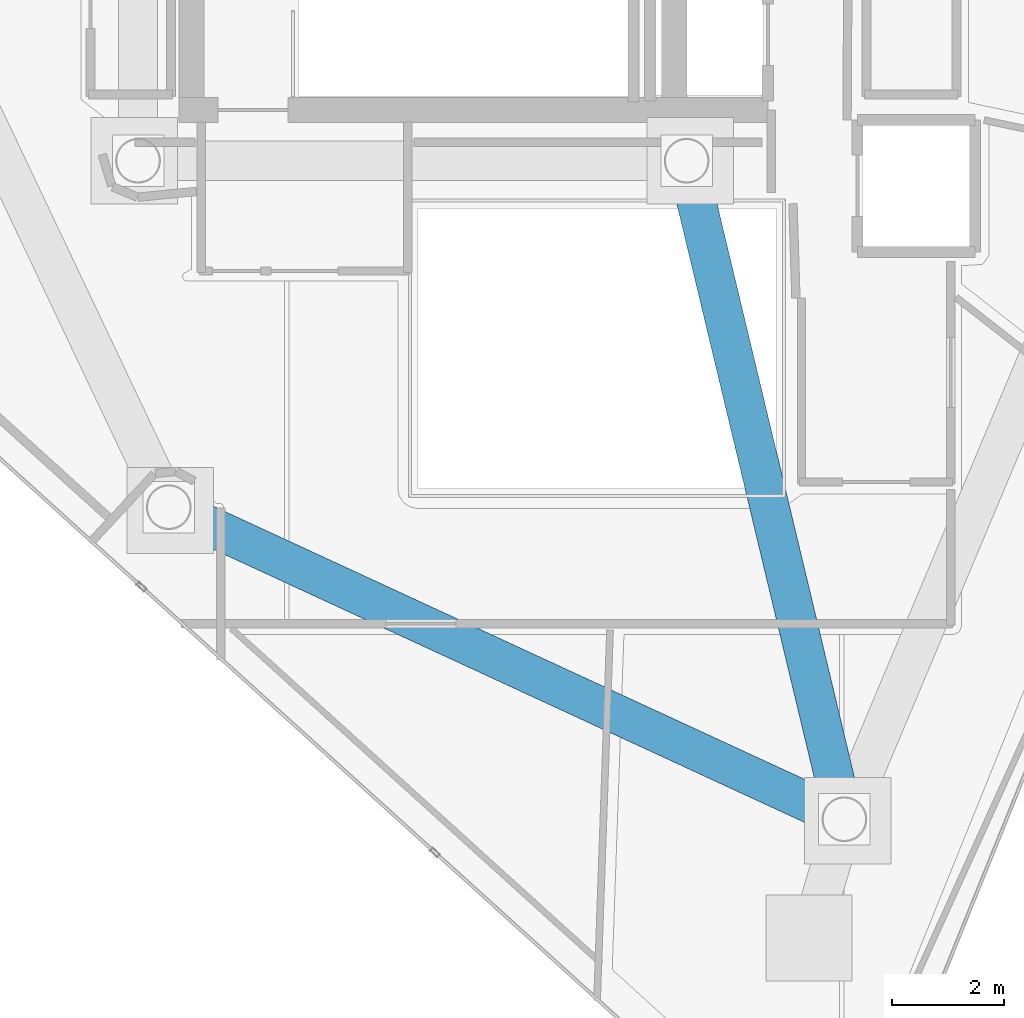
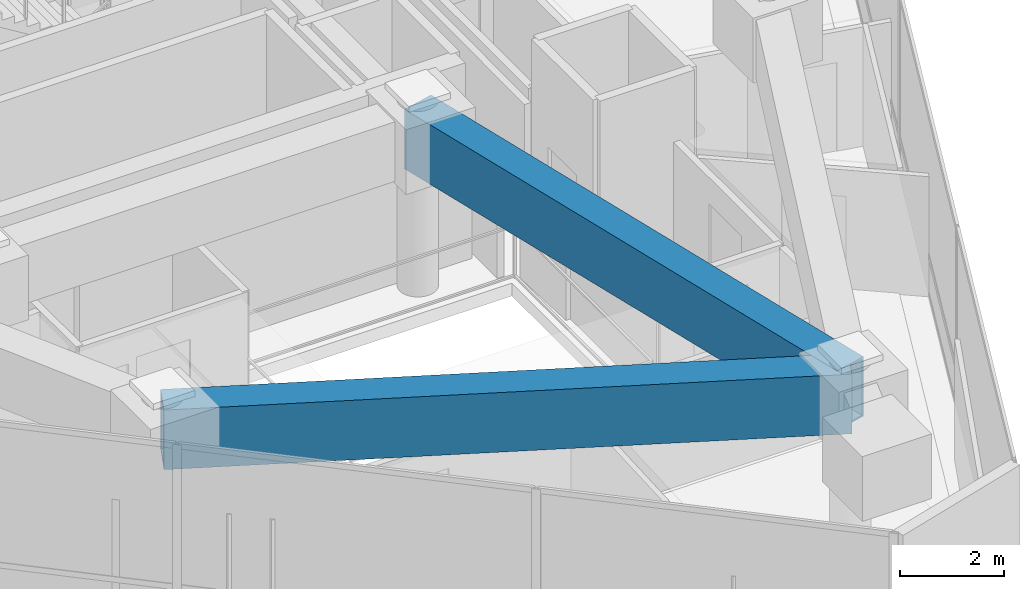
# One storey, part 4 of 17: 2 beams.
"""IFC4 building model written with IfcOpenShell, lengths in metres."""

from ifc_helpers import new_model, si_unit, direction, frame, origin, origin_2d, place, context, subcontext, project, spatial, hollow_rectangle, extrude, material, material_profile, profile_set, type_object, element, save


model = new_model("IFC4")

# Units and contexts
model_context = context("Model", 3, precision=1e-05, world=origin(), true_north=direction((0.0, 1.0)))
body_context = subcontext(model_context, "Body", "Model", "MODEL_VIEW")
ifc_project = project(units=[si_unit("LENGTHUNIT", "METRE"), si_unit("AREAUNIT", "SQUARE_METRE"), si_unit("VOLUMEUNIT", "CUBIC_METRE"), si_unit("PLANEANGLEUNIT", "RADIAN"), si_unit("MASSUNIT", "GRAM", prefix="KILO")], contexts=[model_context])

# Site, building, storey
site_placement = place(None, origin())
site = spatial("IfcSite", under=ifc_project, at=site_placement, CompositionType="ELEMENT")
building_placement = place(site_placement, origin())
building = spatial("IfcBuilding", under=site, at=building_placement, Name="Qianvela Tower", CompositionType="ELEMENT")
storey_placement = place(building_placement, frame((0.0, 0.0, 351.800048828125)))
storey = spatial("IfcBuildingStorey", under=building, at=storey_placement, Name="L91", CompositionType="ELEMENT", Elevation=351.800048828125)

# Beams
ifc_material = material(Name="Steel Q420GJC", Category="steel")
ifc_material_profile = material_profile(ifc_material, hollow_rectangle(XDim=0.699951171875, YDim=1.39990234375, WallThickness=0.0400390625, at=origin_2d()), Name="TG-BOX-1400x700x40")
ifc_profile_set = profile_set([ifc_material_profile], Name="Steel Q420GJC")
beam_type = type_object("IfcBeamType", Name="BM-TG-RAD-1400", PredefinedType="BEAM", material=ifc_profile_set)
beam_1_placement = place(storey_placement, frame((29.14990234375, 17.662109375, 3.597900390625), z_axis=(0.907822793776, -0.419353997359, 0.0), x_axis=(0.419353997359, 0.907822793776, 0.0)))
element("IfcBeam", 1, at=beam_1_placement, inside=storey, type_object=beam_type, Name="L91 Perimeter Ring Transfer Girder 4", PredefinedType="BEAM", context=body_context, shape_type="SweptSolid", body=[
    extrude(hollow_rectangle(XDim=0.699951171875, YDim=1.39990234375, WallThickness=0.0400390625, at=origin_2d()), origin(), (0.0, 0.0, 1.0), 13.29248046875),
])
beam_2_placement = place(storey_placement, frame((38.39990234375, 23.85009765625, 3.597900390625), z_axis=(0.232920204523, -0.97249585003, 0.0), x_axis=(0.97249585003, 0.232920204523, 0.0)))
element("IfcBeam", 2, at=beam_2_placement, inside=storey, type_object=beam_type, Name="L91 Radial Column Transfer Girder 5", PredefinedType="BEAM", context=body_context, shape_type="SweptSolid", body=[
    extrude(hollow_rectangle(XDim=0.699951171875, YDim=1.39990234375, WallThickness=0.0400390625, at=origin_2d()), origin(), (0.0, 0.0, 1.0), 12.094970703125),
])

save(model, "model.ifc")
